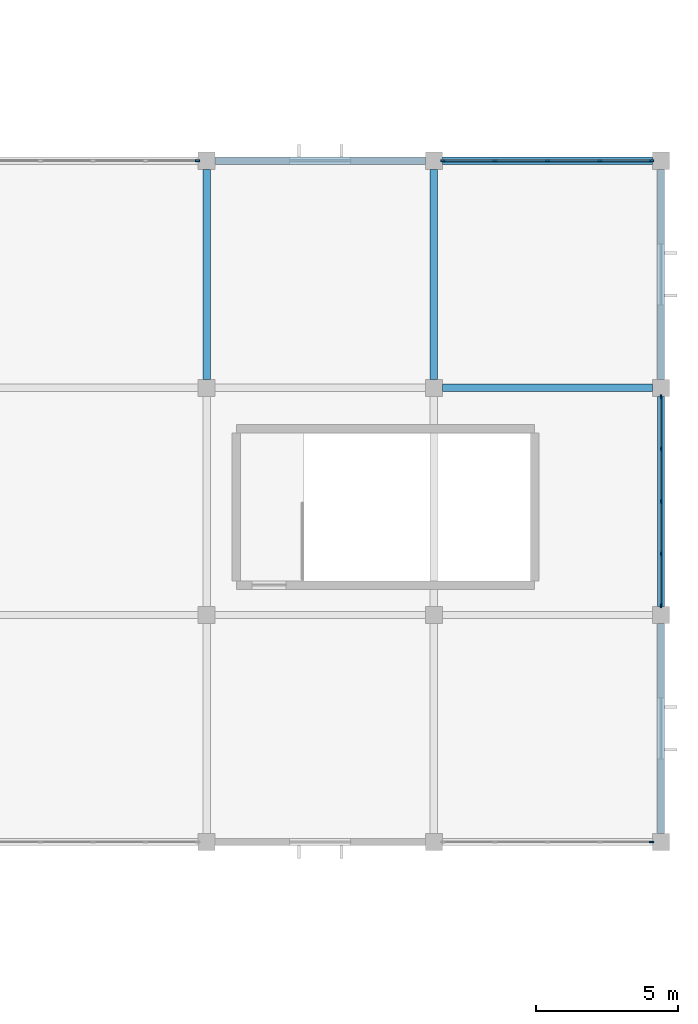
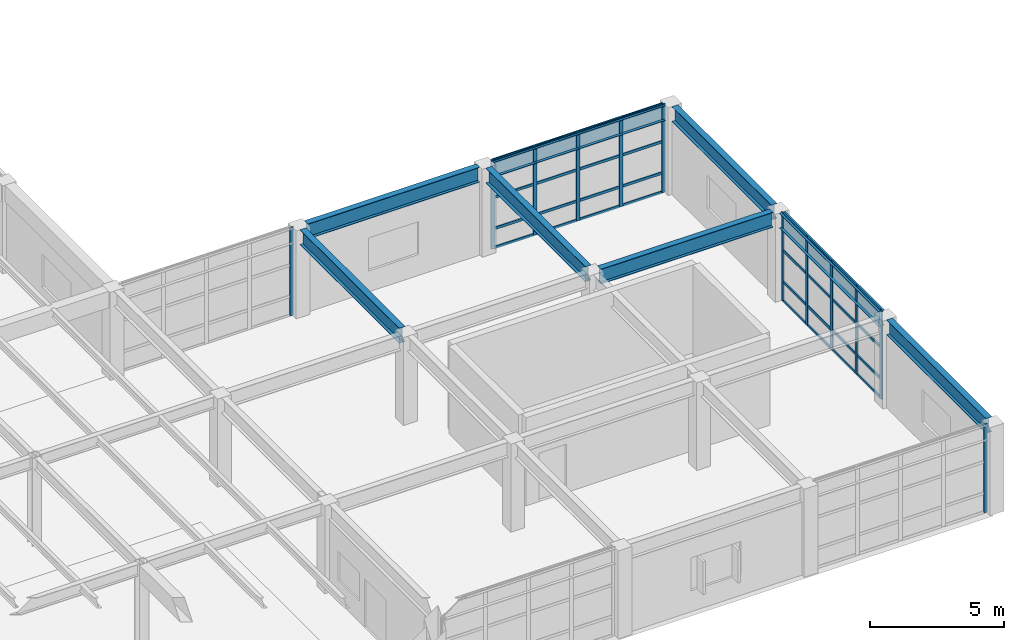
# One storey, part 27 of 48: 44 members, 8 beams, 4 elements without a shape of their own.
"""IFC4 building model written with IfcOpenShell, lengths in metres."""

import ifcopenshell
import ifcopenshell.guid

model = None  # the IFC model being written
_history = None  # IfcOwnerHistory: only IFC2X3 demands one
_inside = {}  # id of a spatial element -> (the spatial element, [elements in it])
_under = {}  # id of a project, library or spatial element -> (it, [spatial elements below it])
_declared = {}  # id of a project -> (the project, [libraries it declares])
_typed = {}  # id of a type object -> (the type object, [elements of that type])
_made_of = {}  # id of a material, layer set ... -> (it, [elements and type objects made of it])


def new_model(schema):
    """Start an empty IFC model of exactly this schema.

    Asked for "IFC4X3", IfcOpenShell would pick the latest addendum, in which some entities
    have other attributes; the version numbers below select the first issue.
    IFC2X3 requires an IfcOwnerHistory on every rooted entity: one is made here for all.
    """
    global model, _history
    if schema == "IFC4X3":
        model = ifcopenshell.file(schema_version=(4, 3, 0, 0))
    else:
        model = ifcopenshell.file(schema=schema)
    _inside.clear()
    _under.clear()
    _declared.clear()
    _typed.clear()
    _made_of.clear()
    _history = None
    if model.schema == "IFC2X3":
        org = make("IfcOrganization", Name="unknown")
        user = make(
            "IfcPersonAndOrganization",
            ThePerson=make("IfcPerson", FamilyName="unknown"),
            TheOrganization=org,
        )
        app = make(
            "IfcApplication",
            ApplicationDeveloper=org,
            Version="unknown",
            ApplicationFullName="unknown",
            ApplicationIdentifier="unknown",
        )
        _history = make(
            "IfcOwnerHistory",
            OwningUser=user,
            OwningApplication=app,
            ChangeAction="ADDED",
            CreationDate=0,
        )
    return model


def make(cls, **values):
    """One entity of the class cls with the attributes given. An attribute that is None is left unset."""
    return model.create_entity(
        cls, **{name: value for name, value in values.items() if value is not None}
    )


def rooted(cls, **values):
    """An entity with a GlobalId (a new one), such as an element, a storey or a relation."""
    return make(cls, GlobalId=ifcopenshell.guid.new(), OwnerHistory=_history, **values)


def si_unit(unit_type, name, prefix=None):
    """IfcSIUnit, for example si_unit("LENGTHUNIT", "METRE", prefix="MILLI")."""
    return make("IfcSIUnit", UnitType=unit_type, Prefix=prefix, Name=name)


def assignment(units):
    """IfcUnitAssignment: the units of a project."""
    return None if units is None else make("IfcUnitAssignment", Units=units)


def point(xyz):
    """IfcCartesianPoint."""
    return None if xyz is None else make("IfcCartesianPoint", Coordinates=xyz)


def direction(xyz):
    """IfcDirection."""
    return None if xyz is None else make("IfcDirection", DirectionRatios=xyz)


def frame(location, z_axis=None, x_axis=None):
    """IfcAxis2Placement3D, a coordinate frame: its origin and axes. An axis left out is left unset."""
    return make(
        "IfcAxis2Placement3D",
        Location=point(location),
        Axis=direction(z_axis),
        RefDirection=direction(x_axis),
    )


def frame_2d(location, x_axis=None):
    """IfcAxis2Placement2D, a coordinate frame in the plane: its origin and x axis."""
    return make(
        "IfcAxis2Placement2D", Location=point(location), RefDirection=direction(x_axis)
    )


def origin():
    """The frame at (0, 0, 0) with its axes left unset."""
    return frame((0.0, 0.0, 0.0))


def origin_2d():
    """The frame at (0, 0) in the plane with its x axis left unset."""
    return frame_2d((0.0, 0.0))


def place(relative_to, where):
    """IfcLocalPlacement: puts the frame where relative to a parent placement (None: the world)."""
    return make(
        "IfcLocalPlacement", PlacementRelTo=relative_to, RelativePlacement=where
    )


def context(
    kind, dimensions, precision=None, world=None, true_north=None, identifier=None
):
    """IfcGeometricRepresentationContext, for example the 3D "Model" context."""
    return make(
        "IfcGeometricRepresentationContext",
        ContextIdentifier=identifier,
        ContextType=kind,
        CoordinateSpaceDimension=dimensions,
        Precision=precision,
        WorldCoordinateSystem=world,
        TrueNorth=true_north,
    )


def subcontext(parent, identifier, kind, view, scale=None):
    """IfcGeometricRepresentationSubContext, for example "Body" below "Model"."""
    return make(
        "IfcGeometricRepresentationSubContext",
        ContextIdentifier=identifier,
        ContextType=kind,
        ParentContext=parent,
        TargetScale=scale,
        TargetView=view,
    )


def project(units=None, contexts=None):
    """IfcProject with its units and contexts."""
    return rooted(
        "IfcProject",
        Name="project",
        RepresentationContexts=contexts,
        UnitsInContext=assignment(units),
    )


def spatial(cls, under=None, at=None, **own):
    """A site, building, storey or space (cls), placed at a placement, below another one or the project."""
    s = rooted(cls, ObjectPlacement=at, **own)
    if under is not None:
        _under.setdefault(under.id(), (under, []))[1].append(s)
    return s


def profile(cls, at=None, kind="AREA", **sizes):
    """A parametric profile (cls). Its sizes go by their IFC names, for example OverallWidth=200.0."""
    return make(cls, ProfileType=kind, Position=at, **sizes)


def rectangle(**sizes):
    """IfcRectangleProfileDef."""
    return profile("IfcRectangleProfileDef", **sizes)


def i_section(**sizes):
    """IfcIShapeProfileDef."""
    return profile("IfcIShapeProfileDef", **sizes)


def extrude(swept, where, along, depth):
    """IfcExtrudedAreaSolid: the profile swept, set in the frame where, extruded along a direction by depth."""
    return make(
        "IfcExtrudedAreaSolid",
        SweptArea=swept,
        Position=where,
        ExtrudedDirection=direction(along),
        Depth=depth,
    )


def shape(context_of_items, identifier, shape_type, items):
    """IfcShapeRepresentation: the items that make up one representation, for example the "Body"."""
    return make(
        "IfcShapeRepresentation",
        ContextOfItems=context_of_items,
        RepresentationIdentifier=identifier,
        RepresentationType=shape_type,
        Items=items,
    )


def material(Name=None, Category=None):
    """IfcMaterial."""
    return make("IfcMaterial", Name=Name, Category=Category)


def layer(
    of_material, thickness, ventilated=None, Name=None, Category=None, Priority=None
):
    """IfcMaterialLayer: one layer of a wall or slab, of a material (None: an air gap)."""
    return make(
        "IfcMaterialLayer",
        Material=of_material,
        LayerThickness=thickness,
        IsVentilated=ventilated,
        Name=Name,
        Category=Category,
        Priority=Priority,
    )


def layer_set(layers, Name=None):
    """IfcMaterialLayerSet."""
    return make("IfcMaterialLayerSet", MaterialLayers=layers, LayerSetName=Name)


def material_profile(
    of_material, cross_section, Name=None, Category=None, Priority=None
):
    """IfcMaterialProfile: a cross section and its material."""
    return make(
        "IfcMaterialProfile",
        Name=Name,
        Material=of_material,
        Profile=cross_section,
        Priority=Priority,
        Category=Category,
    )


def profile_set(profiles, Name=None, composite=None):
    """IfcMaterialProfileSet."""
    return make(
        "IfcMaterialProfileSet",
        Name=Name,
        MaterialProfiles=profiles,
        CompositeProfile=composite,
    )


def made_of(thing, what):
    """Note that an element or type object is made of a material, layer set ...; save() writes the relation."""
    if what is not None:
        _made_of.setdefault(what.id(), (what, []))[1].append(thing)
    return thing


def type_object(cls, material=None, **own):
    """A type object (cls), such as IfcWallType, which elements share."""
    return made_of(rooted(cls, **own), material)


def element(
    cls,
    number,
    at=None,
    inside=None,
    cuts=None,
    type_object=None,
    material=None,
    context=None,
    identifier="Body",
    shape_type=None,
    held_by="IfcProductDefinitionShape",
    body=None,
    shapes=None,
    **own,
):
    """One element of the class cls, such as IfcWall. Its Tag is "e" and its number.

    at: its placement. inside: the storey or other place that contains it. cuts: it is an
    opening in that element (IfcRelVoidsElement). A single representation is given by context,
    identifier, shape_type and body (its items); several are given by shapes. held_by: the class
    of the entity that holds the representations. save() writes the other relations.
    """
    e = rooted(cls, Tag="e%d" % number, ObjectPlacement=at, **own)
    if body is not None:
        shapes = [shape(context, identifier, shape_type, body)]
    if shapes is not None:
        e.Representation = make(held_by, Representations=shapes)
    if inside is not None:
        _inside.setdefault(inside.id(), (inside, []))[1].append(e)
    if cuts is not None:
        rooted(
            "IfcRelVoidsElement", RelatingBuildingElement=cuts, RelatedOpeningElement=e
        )
    if type_object is not None:
        _typed.setdefault(type_object.id(), (type_object, []))[1].append(e)
    return made_of(e, material)


def aggregate(whole, parts):
    """IfcRelAggregates: a whole, such as a stair, and the parts it consists of."""
    return rooted("IfcRelAggregates", RelatingObject=whole, RelatedObjects=parts)


def save(model, path):
    """Write the relations noted so far, then the file.

    IfcRelAggregates (storeys below a building ...), IfcRelContainedInSpatialStructure (elements
    in a storey), IfcRelDefinesByType, IfcRelAssociatesMaterial and IfcRelDeclares: one each for
    every whole, place, type object, material and project.
    """
    for whole, parts in _under.values():
        aggregate(whole, parts)
    for where, things in _inside.values():
        rooted(
            "IfcRelContainedInSpatialStructure",
            RelatedElements=things,
            RelatingStructure=where,
        )
    for kind, things in _typed.values():
        rooted("IfcRelDefinesByType", RelatedObjects=things, RelatingType=kind)
    for what, things in _made_of.values():
        rooted("IfcRelAssociatesMaterial", RelatedObjects=things, RelatingMaterial=what)
    for by, libraries in _declared.values():
        rooted("IfcRelDeclares", RelatingContext=by, RelatedDefinitions=libraries)
    model.write(path)


model = new_model("IFC4")

# Units and contexts
model_context = context("Model", 3, precision=1e-05, world=origin(), true_north=direction((0.0, 1.0)))
body_context = subcontext(model_context, "Body", "Model", "MODEL_VIEW")
ifc_project = project(units=[si_unit("LENGTHUNIT", "METRE"), si_unit("AREAUNIT", "SQUARE_METRE"), si_unit("VOLUMEUNIT", "CUBIC_METRE"), si_unit("PLANEANGLEUNIT", "RADIAN"), si_unit("MASSUNIT", "GRAM", prefix="KILO")], contexts=[model_context])

# Site, building, storey
site_placement = place(None, origin())
site = spatial("IfcSite", under=ifc_project, at=site_placement, CompositionType="ELEMENT")
building_placement = place(site_placement, origin())
building = spatial("IfcBuilding", under=site, at=building_placement, Name="Varnela Railside Interchange", CompositionType="ELEMENT")
storey_placement = place(building_placement, frame((0.0, 0.0, 11.199951171875)))
storey = spatial("IfcBuildingStorey", under=building, at=storey_placement, Name="L02", CompositionType="ELEMENT", Elevation=11.199951171875)

# Curtain wall, member
ifc_material_1 = material(Name="Aluminium 6063-T6", Category="aluminium")
ifc_layer = layer(ifc_material_1, 0.035888671875)
ifc_layer_set = layer_set([ifc_layer], Name="Aluminium 6063-T6")
curtain_wall_type = type_object("IfcCurtainWallType", Name="Study Pavilion Gallery Curtain Wall CW-02", PredefinedType="USERDEFINED", material=ifc_layer_set)
curtain_wall_1_placement = place(storey_placement, origin())
curtain_wall_1 = element("IfcCurtainWall", 1, at=curtain_wall_1_placement, inside=storey, type_object=curtain_wall_type, Name="Curtain Wall CW-02 (L02) (CW-060)", ObjectType="CURTAIN WALL", PredefinedType="USERDEFINED")
ifc_material_profile_1 = material_profile(ifc_material_1, rectangle(XDim=0.06005859375, YDim=0.159912109375, at=origin_2d()), Name="ALU 60x160")
ifc_profile_set_1 = profile_set([ifc_material_profile_1], Name="Aluminium 6063-T6")
member_type_1 = type_object("IfcMemberType", Name="Curtain Wall Mullion ML-02", PredefinedType="MULLION", material=ifc_profile_set_1)
member_1_placement = place(storey_placement, frame((147.669921875, 62.0, 0.0), z_axis=(0.0, 0.0, 1.0), x_axis=(0.0, 1.0, 0.0)))
member_1 = element("IfcMember", 2, at=member_1_placement, type_object=member_type_1, Name="CW-02 mullion 5", PredefinedType="MULLION", context=body_context, shape_type="SweptSolid", body=[
    extrude(rectangle(XDim=0.06005859375, YDim=0.159912109375, at=origin_2d()), origin(), (0.0, 0.0, 1.0), 4.0),
])
aggregate(curtain_wall_1, [member_1])

# Curtain wall, members
curtain_wall_2_placement = place(storey_placement, origin())
curtain_wall_2 = element("IfcCurtainWall", 3, at=curtain_wall_2_placement, inside=storey, type_object=curtain_wall_type, Name="Curtain Wall CW-02 (L02) (CW-062)", ObjectType="CURTAIN WALL", PredefinedType="USERDEFINED")
member_2_placement = place(storey_placement, frame((156.330078125, 62.0, 0.0), z_axis=(0.0, 0.0, 1.0), x_axis=(0.0, 1.0, 0.0)))
member_2 = element("IfcMember", 4, at=member_2_placement, type_object=member_type_1, Name="CW-02 mullion 1", PredefinedType="MULLION", context=body_context, shape_type="SweptSolid", body=[
    extrude(rectangle(XDim=0.06005859375, YDim=0.159912109375, at=origin_2d()), origin(), (0.0, 0.0, 1.0), 4.0),
])
member_3_placement = place(storey_placement, frame((158.14990234375, 62.0, 0.0), z_axis=(0.0, 0.0, 1.0), x_axis=(0.0, 1.0, 0.0)))
member_3 = element("IfcMember", 5, at=member_3_placement, type_object=member_type_1, Name="CW-02 mullion 2", PredefinedType="MULLION", context=body_context, shape_type="SweptSolid", body=[
    extrude(rectangle(XDim=0.06005859375, YDim=0.159912109375, at=origin_2d()), origin(), (0.0, 0.0, 1.0), 4.0),
])
member_4_placement = place(storey_placement, frame((160.0, 62.0, 0.0), z_axis=(0.0, 0.0, 1.0), x_axis=(0.0, 1.0, 0.0)))
member_4 = element("IfcMember", 6, at=member_4_placement, type_object=member_type_1, Name="CW-02 mullion 3", PredefinedType="MULLION", context=body_context, shape_type="SweptSolid", body=[
    extrude(rectangle(XDim=0.06005859375, YDim=0.159912109375, at=origin_2d()), origin(), (0.0, 0.0, 1.0), 4.0),
])
member_5_placement = place(storey_placement, frame((161.85009765625, 62.0, 0.0), z_axis=(0.0, 0.0, 1.0), x_axis=(0.0, 1.0, 0.0)))
member_5 = element("IfcMember", 7, at=member_5_placement, type_object=member_type_1, Name="CW-02 mullion 4", PredefinedType="MULLION", context=body_context, shape_type="SweptSolid", body=[
    extrude(rectangle(XDim=0.06005859375, YDim=0.159912109375, at=origin_2d()), origin(), (0.0, 0.0, 1.0), 4.0),
])
member_6_placement = place(storey_placement, frame((163.669921875, 62.0, 0.0), z_axis=(0.0, 0.0, 1.0), x_axis=(0.0, 1.0, 0.0)))
member_6 = element("IfcMember", 8, at=member_6_placement, type_object=member_type_1, Name="CW-02 mullion 5", PredefinedType="MULLION", context=body_context, shape_type="SweptSolid", body=[
    extrude(rectangle(XDim=0.06005859375, YDim=0.159912109375, at=origin_2d()), origin(), (0.0, 0.0, 1.0), 4.0),
])

curtain_wall_3_placement = place(storey_placement, origin())
curtain_wall_3 = element("IfcCurtainWall", 9, at=curtain_wall_3_placement, inside=storey, type_object=curtain_wall_type, Name="Curtain Wall CW-02 (L02) (CW-063)", ObjectType="CURTAIN WALL", PredefinedType="USERDEFINED")
member_7_placement = place(storey_placement, frame((164.0, 53.669921875, 0.0), z_axis=(0.0, 0.0, 1.0), x_axis=(1.0, 0.0, 0.0)))
member_7 = element("IfcMember", 10, at=member_7_placement, type_object=member_type_1, Name="CW-02 mullion 1", PredefinedType="MULLION", context=body_context, shape_type="SweptSolid", body=[
    extrude(rectangle(XDim=0.06005859375, YDim=0.159912109375, at=origin_2d()), origin(), (0.0, 0.0, 1.0), 4.0),
])
member_8_placement = place(storey_placement, frame((164.0, 51.85009765625, 0.0), z_axis=(0.0, 0.0, 1.0), x_axis=(1.0, 0.0, 0.0)))
member_8 = element("IfcMember", 11, at=member_8_placement, type_object=member_type_1, Name="CW-02 mullion 2", PredefinedType="MULLION", context=body_context, shape_type="SweptSolid", body=[
    extrude(rectangle(XDim=0.06005859375, YDim=0.159912109375, at=origin_2d()), origin(), (0.0, 0.0, 1.0), 4.0),
])
member_9_placement = place(storey_placement, frame((164.0, 50.0, 0.0), z_axis=(0.0, 0.0, 1.0), x_axis=(1.0, 0.0, 0.0)))
member_9 = element("IfcMember", 12, at=member_9_placement, type_object=member_type_1, Name="CW-02 mullion 3", PredefinedType="MULLION", context=body_context, shape_type="SweptSolid", body=[
    extrude(rectangle(XDim=0.06005859375, YDim=0.159912109375, at=origin_2d()), origin(), (0.0, 0.0, 1.0), 4.0),
])
member_10_placement = place(storey_placement, frame((164.0, 48.14990234375, 0.0), z_axis=(0.0, 0.0, 1.0), x_axis=(1.0, 0.0, 0.0)))
member_10 = element("IfcMember", 13, at=member_10_placement, type_object=member_type_1, Name="CW-02 mullion 4", PredefinedType="MULLION", context=body_context, shape_type="SweptSolid", body=[
    extrude(rectangle(XDim=0.06005859375, YDim=0.159912109375, at=origin_2d()), origin(), (0.0, 0.0, 1.0), 4.0),
])
member_11_placement = place(storey_placement, frame((164.0, 46.330078125, 0.0), z_axis=(0.0, 0.0, 1.0), x_axis=(1.0, 0.0, 0.0)))
member_11 = element("IfcMember", 14, at=member_11_placement, type_object=member_type_1, Name="CW-02 mullion 5", PredefinedType="MULLION", context=body_context, shape_type="SweptSolid", body=[
    extrude(rectangle(XDim=0.06005859375, YDim=0.159912109375, at=origin_2d()), origin(), (0.0, 0.0, 1.0), 4.0),
])

# Curtain wall, member
curtain_wall_4_placement = place(storey_placement, origin())
curtain_wall_4 = element("IfcCurtainWall", 15, at=curtain_wall_4_placement, inside=storey, type_object=curtain_wall_type, Name="Curtain Wall CW-02 (L02) (CW-064)", ObjectType="CURTAIN WALL", PredefinedType="USERDEFINED")
member_12_placement = place(storey_placement, frame((163.669921875, 38.0, 0.0), z_axis=(0.0, 0.0, 1.0), x_axis=(0.0, -1.0, 0.0)))
member_12 = element("IfcMember", 16, at=member_12_placement, type_object=member_type_1, Name="CW-02 mullion 1", PredefinedType="MULLION", context=body_context, shape_type="SweptSolid", body=[
    extrude(rectangle(XDim=0.06005859375, YDim=0.159912109375, at=origin_2d()), origin(), (0.0, 0.0, 1.0), 4.0),
])
aggregate(curtain_wall_4, [member_12])

# Member
ifc_material_profile_2 = material_profile(ifc_material_1, rectangle(XDim=0.06005859375, YDim=0.1201171875, at=origin_2d()), Name="ALU 60x120")
ifc_profile_set_2 = profile_set([ifc_material_profile_2], Name="Aluminium 6063-T6")
member_type_2 = type_object("IfcMemberType", Name="Curtain Wall Transom TR-02", PredefinedType="USERDEFINED", material=ifc_profile_set_2)
member_13_placement = place(storey_placement, frame((156.360107421875, 62.0, 0.030029296875), z_axis=(1.0, 0.0, 0.0), x_axis=(0.0, 1.0, 0.0)))
member_13 = element("IfcMember", 17, at=member_13_placement, type_object=member_type_2, Name="CW-02 transom 1.1", ObjectType="TRANSOM", PredefinedType="USERDEFINED", context=body_context, shape_type="SweptSolid", body=[
    extrude(rectangle(XDim=0.06005859375, YDim=0.1201171875, at=origin_2d()), origin(), (0.0, 0.0, 1.0), 1.760009765625),
])

member_14_placement = place(storey_placement, frame((156.360107421875, 62.0, 0.900146484375), z_axis=(1.0, 0.0, 0.0), x_axis=(0.0, 1.0, 0.0)))
member_14 = element("IfcMember", 18, at=member_14_placement, type_object=member_type_2, Name="CW-02 transom 1.2", ObjectType="TRANSOM", PredefinedType="USERDEFINED", context=body_context, shape_type="SweptSolid", body=[
    extrude(rectangle(XDim=0.06005859375, YDim=0.1201171875, at=origin_2d()), origin(), (0.0, 0.0, 1.0), 1.760009765625),
])

member_15_placement = place(storey_placement, frame((156.360107421875, 62.0, 2.320068359375), z_axis=(1.0, 0.0, 0.0), x_axis=(0.0, 1.0, 0.0)))
member_15 = element("IfcMember", 19, at=member_15_placement, type_object=member_type_2, Name="CW-02 transom 1.3", ObjectType="TRANSOM", PredefinedType="USERDEFINED", context=body_context, shape_type="SweptSolid", body=[
    extrude(rectangle(XDim=0.06005859375, YDim=0.1201171875, at=origin_2d()), origin(), (0.0, 0.0, 1.0), 1.760009765625),
])

member_16_placement = place(storey_placement, frame((156.360107421875, 62.0, 3.969970703125), z_axis=(1.0, 0.0, 0.0), x_axis=(0.0, 1.0, 0.0)))
member_16 = element("IfcMember", 20, at=member_16_placement, type_object=member_type_2, Name="CW-02 transom 1.4", ObjectType="TRANSOM", PredefinedType="USERDEFINED", context=body_context, shape_type="SweptSolid", body=[
    extrude(rectangle(XDim=0.06005859375, YDim=0.1201171875, at=origin_2d()), origin(), (0.0, 0.0, 1.0), 1.760009765625),
])

member_17_placement = place(storey_placement, frame((158.179931640625, 62.0, 0.030029296875), z_axis=(1.0, 0.0, 0.0), x_axis=(0.0, 1.0, 0.0)))
member_17 = element("IfcMember", 21, at=member_17_placement, type_object=member_type_2, Name="CW-02 transom 2.1", ObjectType="TRANSOM", PredefinedType="USERDEFINED", context=body_context, shape_type="SweptSolid", body=[
    extrude(rectangle(XDim=0.06005859375, YDim=0.1201171875, at=origin_2d()), origin(), (0.0, 0.0, 1.0), 1.7900390625),
])

member_18_placement = place(storey_placement, frame((158.179931640625, 62.0, 0.900146484375), z_axis=(1.0, 0.0, 0.0), x_axis=(0.0, 1.0, 0.0)))
member_18 = element("IfcMember", 22, at=member_18_placement, type_object=member_type_2, Name="CW-02 transom 2.2", ObjectType="TRANSOM", PredefinedType="USERDEFINED", context=body_context, shape_type="SweptSolid", body=[
    extrude(rectangle(XDim=0.06005859375, YDim=0.1201171875, at=origin_2d()), origin(), (0.0, 0.0, 1.0), 1.7900390625),
])

member_19_placement = place(storey_placement, frame((158.179931640625, 62.0, 2.320068359375), z_axis=(1.0, 0.0, 0.0), x_axis=(0.0, 1.0, 0.0)))
member_19 = element("IfcMember", 23, at=member_19_placement, type_object=member_type_2, Name="CW-02 transom 2.3", ObjectType="TRANSOM", PredefinedType="USERDEFINED", context=body_context, shape_type="SweptSolid", body=[
    extrude(rectangle(XDim=0.06005859375, YDim=0.1201171875, at=origin_2d()), origin(), (0.0, 0.0, 1.0), 1.7900390625),
])

member_20_placement = place(storey_placement, frame((158.179931640625, 62.0, 3.969970703125), z_axis=(1.0, 0.0, 0.0), x_axis=(0.0, 1.0, 0.0)))
member_20 = element("IfcMember", 24, at=member_20_placement, type_object=member_type_2, Name="CW-02 transom 2.4", ObjectType="TRANSOM", PredefinedType="USERDEFINED", context=body_context, shape_type="SweptSolid", body=[
    extrude(rectangle(XDim=0.06005859375, YDim=0.1201171875, at=origin_2d()), origin(), (0.0, 0.0, 1.0), 1.7900390625),
])

member_21_placement = place(storey_placement, frame((160.030029296875, 62.0, 0.030029296875), z_axis=(1.0, 0.0, 0.0), x_axis=(0.0, 1.0, 0.0)))
member_21 = element("IfcMember", 25, at=member_21_placement, type_object=member_type_2, Name="CW-02 transom 3.1", ObjectType="TRANSOM", PredefinedType="USERDEFINED", context=body_context, shape_type="SweptSolid", body=[
    extrude(rectangle(XDim=0.06005859375, YDim=0.1201171875, at=origin_2d()), origin(), (0.0, 0.0, 1.0), 1.7900390625),
])

member_22_placement = place(storey_placement, frame((160.030029296875, 62.0, 0.900146484375), z_axis=(1.0, 0.0, 0.0), x_axis=(0.0, 1.0, 0.0)))
member_22 = element("IfcMember", 26, at=member_22_placement, type_object=member_type_2, Name="CW-02 transom 3.2", ObjectType="TRANSOM", PredefinedType="USERDEFINED", context=body_context, shape_type="SweptSolid", body=[
    extrude(rectangle(XDim=0.06005859375, YDim=0.1201171875, at=origin_2d()), origin(), (0.0, 0.0, 1.0), 1.7900390625),
])

member_23_placement = place(storey_placement, frame((160.030029296875, 62.0, 2.320068359375), z_axis=(1.0, 0.0, 0.0), x_axis=(0.0, 1.0, 0.0)))
member_23 = element("IfcMember", 27, at=member_23_placement, type_object=member_type_2, Name="CW-02 transom 3.3", ObjectType="TRANSOM", PredefinedType="USERDEFINED", context=body_context, shape_type="SweptSolid", body=[
    extrude(rectangle(XDim=0.06005859375, YDim=0.1201171875, at=origin_2d()), origin(), (0.0, 0.0, 1.0), 1.7900390625),
])

member_24_placement = place(storey_placement, frame((160.030029296875, 62.0, 3.969970703125), z_axis=(1.0, 0.0, 0.0), x_axis=(0.0, 1.0, 0.0)))
member_24 = element("IfcMember", 28, at=member_24_placement, type_object=member_type_2, Name="CW-02 transom 3.4", ObjectType="TRANSOM", PredefinedType="USERDEFINED", context=body_context, shape_type="SweptSolid", body=[
    extrude(rectangle(XDim=0.06005859375, YDim=0.1201171875, at=origin_2d()), origin(), (0.0, 0.0, 1.0), 1.7900390625),
])

member_25_placement = place(storey_placement, frame((161.8798828125, 62.0, 0.030029296875), z_axis=(1.0, 0.0, 0.0), x_axis=(0.0, 1.0, 0.0)))
member_25 = element("IfcMember", 29, at=member_25_placement, type_object=member_type_2, Name="CW-02 transom 4.1", ObjectType="TRANSOM", PredefinedType="USERDEFINED", context=body_context, shape_type="SweptSolid", body=[
    extrude(rectangle(XDim=0.06005859375, YDim=0.1201171875, at=origin_2d()), origin(), (0.0, 0.0, 1.0), 1.760009765625),
])

member_26_placement = place(storey_placement, frame((161.8798828125, 62.0, 0.900146484375), z_axis=(1.0, 0.0, 0.0), x_axis=(0.0, 1.0, 0.0)))
member_26 = element("IfcMember", 30, at=member_26_placement, type_object=member_type_2, Name="CW-02 transom 4.2", ObjectType="TRANSOM", PredefinedType="USERDEFINED", context=body_context, shape_type="SweptSolid", body=[
    extrude(rectangle(XDim=0.06005859375, YDim=0.1201171875, at=origin_2d()), origin(), (0.0, 0.0, 1.0), 1.760009765625),
])

member_27_placement = place(storey_placement, frame((161.8798828125, 62.0, 2.320068359375), z_axis=(1.0, 0.0, 0.0), x_axis=(0.0, 1.0, 0.0)))
member_27 = element("IfcMember", 31, at=member_27_placement, type_object=member_type_2, Name="CW-02 transom 4.3", ObjectType="TRANSOM", PredefinedType="USERDEFINED", context=body_context, shape_type="SweptSolid", body=[
    extrude(rectangle(XDim=0.06005859375, YDim=0.1201171875, at=origin_2d()), origin(), (0.0, 0.0, 1.0), 1.760009765625),
])

member_28_placement = place(storey_placement, frame((161.8798828125, 62.0, 3.969970703125), z_axis=(1.0, 0.0, 0.0), x_axis=(0.0, 1.0, 0.0)))
member_28 = element("IfcMember", 32, at=member_28_placement, type_object=member_type_2, Name="CW-02 transom 4.4", ObjectType="TRANSOM", PredefinedType="USERDEFINED", context=body_context, shape_type="SweptSolid", body=[
    extrude(rectangle(XDim=0.06005859375, YDim=0.1201171875, at=origin_2d()), origin(), (0.0, 0.0, 1.0), 1.760009765625),
])

aggregate(curtain_wall_2, [member_2, member_3, member_4, member_5, member_6, member_13, member_14, member_15, member_16, member_17, member_18, member_19, member_20, member_21, member_22, member_23, member_24, member_25, member_26, member_27, member_28])

member_29_placement = place(storey_placement, frame((164.0, 53.639892578125, 0.030029296875), z_axis=(0.0, -1.0, 0.0), x_axis=(1.0, 0.0, 0.0)))
member_29 = element("IfcMember", 33, at=member_29_placement, type_object=member_type_2, Name="CW-02 transom 1.1", ObjectType="TRANSOM", PredefinedType="USERDEFINED", context=body_context, shape_type="SweptSolid", body=[
    extrude(rectangle(XDim=0.06005859375, YDim=0.1201171875, at=origin_2d()), origin(), (0.0, 0.0, 1.0), 1.760009765625),
])

member_30_placement = place(storey_placement, frame((164.0, 53.639892578125, 0.900146484375), z_axis=(0.0, -1.0, 0.0), x_axis=(1.0, 0.0, 0.0)))
member_30 = element("IfcMember", 34, at=member_30_placement, type_object=member_type_2, Name="CW-02 transom 1.2", ObjectType="TRANSOM", PredefinedType="USERDEFINED", context=body_context, shape_type="SweptSolid", body=[
    extrude(rectangle(XDim=0.06005859375, YDim=0.1201171875, at=origin_2d()), origin(), (0.0, 0.0, 1.0), 1.760009765625),
])

member_31_placement = place(storey_placement, frame((164.0, 53.639892578125, 2.320068359375), z_axis=(0.0, -1.0, 0.0), x_axis=(1.0, 0.0, 0.0)))
member_31 = element("IfcMember", 35, at=member_31_placement, type_object=member_type_2, Name="CW-02 transom 1.3", ObjectType="TRANSOM", PredefinedType="USERDEFINED", context=body_context, shape_type="SweptSolid", body=[
    extrude(rectangle(XDim=0.06005859375, YDim=0.1201171875, at=origin_2d()), origin(), (0.0, 0.0, 1.0), 1.760009765625),
])

member_32_placement = place(storey_placement, frame((164.0, 53.639892578125, 3.969970703125), z_axis=(0.0, -1.0, 0.0), x_axis=(1.0, 0.0, 0.0)))
member_32 = element("IfcMember", 36, at=member_32_placement, type_object=member_type_2, Name="CW-02 transom 1.4", ObjectType="TRANSOM", PredefinedType="USERDEFINED", context=body_context, shape_type="SweptSolid", body=[
    extrude(rectangle(XDim=0.06005859375, YDim=0.1201171875, at=origin_2d()), origin(), (0.0, 0.0, 1.0), 1.760009765625),
])

member_33_placement = place(storey_placement, frame((164.0, 51.820068359375, 0.030029296875), z_axis=(0.0, -1.0, 0.0), x_axis=(1.0, 0.0, 0.0)))
member_33 = element("IfcMember", 37, at=member_33_placement, type_object=member_type_2, Name="CW-02 transom 2.1", ObjectType="TRANSOM", PredefinedType="USERDEFINED", context=body_context, shape_type="SweptSolid", body=[
    extrude(rectangle(XDim=0.06005859375, YDim=0.1201171875, at=origin_2d()), origin(), (0.0, 0.0, 1.0), 1.7900390625),
])

member_34_placement = place(storey_placement, frame((164.0, 51.820068359375, 0.900146484375), z_axis=(0.0, -1.0, 0.0), x_axis=(1.0, 0.0, 0.0)))
member_34 = element("IfcMember", 38, at=member_34_placement, type_object=member_type_2, Name="CW-02 transom 2.2", ObjectType="TRANSOM", PredefinedType="USERDEFINED", context=body_context, shape_type="SweptSolid", body=[
    extrude(rectangle(XDim=0.06005859375, YDim=0.1201171875, at=origin_2d()), origin(), (0.0, 0.0, 1.0), 1.7900390625),
])

member_35_placement = place(storey_placement, frame((164.0, 51.820068359375, 2.320068359375), z_axis=(0.0, -1.0, 0.0), x_axis=(1.0, 0.0, 0.0)))
member_35 = element("IfcMember", 39, at=member_35_placement, type_object=member_type_2, Name="CW-02 transom 2.3", ObjectType="TRANSOM", PredefinedType="USERDEFINED", context=body_context, shape_type="SweptSolid", body=[
    extrude(rectangle(XDim=0.06005859375, YDim=0.1201171875, at=origin_2d()), origin(), (0.0, 0.0, 1.0), 1.7900390625),
])

member_36_placement = place(storey_placement, frame((164.0, 51.820068359375, 3.969970703125), z_axis=(0.0, -1.0, 0.0), x_axis=(1.0, 0.0, 0.0)))
member_36 = element("IfcMember", 40, at=member_36_placement, type_object=member_type_2, Name="CW-02 transom 2.4", ObjectType="TRANSOM", PredefinedType="USERDEFINED", context=body_context, shape_type="SweptSolid", body=[
    extrude(rectangle(XDim=0.06005859375, YDim=0.1201171875, at=origin_2d()), origin(), (0.0, 0.0, 1.0), 1.7900390625),
])

member_37_placement = place(storey_placement, frame((164.0, 49.969970703125, 0.030029296875), z_axis=(0.0, -1.0, 0.0), x_axis=(1.0, 0.0, 0.0)))
member_37 = element("IfcMember", 41, at=member_37_placement, type_object=member_type_2, Name="CW-02 transom 3.1", ObjectType="TRANSOM", PredefinedType="USERDEFINED", context=body_context, shape_type="SweptSolid", body=[
    extrude(rectangle(XDim=0.06005859375, YDim=0.1201171875, at=origin_2d()), origin(), (0.0, 0.0, 1.0), 1.7900390625),
])

member_38_placement = place(storey_placement, frame((164.0, 49.969970703125, 0.900146484375), z_axis=(0.0, -1.0, 0.0), x_axis=(1.0, 0.0, 0.0)))
member_38 = element("IfcMember", 42, at=member_38_placement, type_object=member_type_2, Name="CW-02 transom 3.2", ObjectType="TRANSOM", PredefinedType="USERDEFINED", context=body_context, shape_type="SweptSolid", body=[
    extrude(rectangle(XDim=0.06005859375, YDim=0.1201171875, at=origin_2d()), origin(), (0.0, 0.0, 1.0), 1.7900390625),
])

member_39_placement = place(storey_placement, frame((164.0, 49.969970703125, 2.320068359375), z_axis=(0.0, -1.0, 0.0), x_axis=(1.0, 0.0, 0.0)))
member_39 = element("IfcMember", 43, at=member_39_placement, type_object=member_type_2, Name="CW-02 transom 3.3", ObjectType="TRANSOM", PredefinedType="USERDEFINED", context=body_context, shape_type="SweptSolid", body=[
    extrude(rectangle(XDim=0.06005859375, YDim=0.1201171875, at=origin_2d()), origin(), (0.0, 0.0, 1.0), 1.7900390625),
])

member_40_placement = place(storey_placement, frame((164.0, 49.969970703125, 3.969970703125), z_axis=(0.0, -1.0, 0.0), x_axis=(1.0, 0.0, 0.0)))
member_40 = element("IfcMember", 44, at=member_40_placement, type_object=member_type_2, Name="CW-02 transom 3.4", ObjectType="TRANSOM", PredefinedType="USERDEFINED", context=body_context, shape_type="SweptSolid", body=[
    extrude(rectangle(XDim=0.06005859375, YDim=0.1201171875, at=origin_2d()), origin(), (0.0, 0.0, 1.0), 1.7900390625),
])

member_41_placement = place(storey_placement, frame((164.0, 48.1201171875, 0.030029296875), z_axis=(0.0, -1.0, 0.0), x_axis=(1.0, 0.0, 0.0)))
member_41 = element("IfcMember", 45, at=member_41_placement, type_object=member_type_2, Name="CW-02 transom 4.1", ObjectType="TRANSOM", PredefinedType="USERDEFINED", context=body_context, shape_type="SweptSolid", body=[
    extrude(rectangle(XDim=0.06005859375, YDim=0.1201171875, at=origin_2d()), origin(), (0.0, 0.0, 1.0), 1.760009765625),
])

member_42_placement = place(storey_placement, frame((164.0, 48.1201171875, 0.900146484375), z_axis=(0.0, -1.0, 0.0), x_axis=(1.0, 0.0, 0.0)))
member_42 = element("IfcMember", 46, at=member_42_placement, type_object=member_type_2, Name="CW-02 transom 4.2", ObjectType="TRANSOM", PredefinedType="USERDEFINED", context=body_context, shape_type="SweptSolid", body=[
    extrude(rectangle(XDim=0.06005859375, YDim=0.1201171875, at=origin_2d()), origin(), (0.0, 0.0, 1.0), 1.760009765625),
])

member_43_placement = place(storey_placement, frame((164.0, 48.1201171875, 2.320068359375), z_axis=(0.0, -1.0, 0.0), x_axis=(1.0, 0.0, 0.0)))
member_43 = element("IfcMember", 47, at=member_43_placement, type_object=member_type_2, Name="CW-02 transom 4.3", ObjectType="TRANSOM", PredefinedType="USERDEFINED", context=body_context, shape_type="SweptSolid", body=[
    extrude(rectangle(XDim=0.06005859375, YDim=0.1201171875, at=origin_2d()), origin(), (0.0, 0.0, 1.0), 1.760009765625),
])

member_44_placement = place(storey_placement, frame((164.0, 48.1201171875, 3.969970703125), z_axis=(0.0, -1.0, 0.0), x_axis=(1.0, 0.0, 0.0)))
member_44 = element("IfcMember", 48, at=member_44_placement, type_object=member_type_2, Name="CW-02 transom 4.4", ObjectType="TRANSOM", PredefinedType="USERDEFINED", context=body_context, shape_type="SweptSolid", body=[
    extrude(rectangle(XDim=0.06005859375, YDim=0.1201171875, at=origin_2d()), origin(), (0.0, 0.0, 1.0), 1.760009765625),
])

aggregate(curtain_wall_3, [member_7, member_8, member_9, member_10, member_11, member_29, member_30, member_31, member_32, member_33, member_34, member_35, member_36, member_37, member_38, member_39, member_40, member_41, member_42, member_43, member_44])

# Beams
ifc_material_2 = material(Name="Steel AR 350 (350 MPa)", Category="steel")
ifc_material_profile_3 = material_profile(ifc_material_2, i_section(OverallWidth=0.25390625, OverallDepth=0.68798828125, WebThickness=0.01318359375, FlangeThickness=0.02099609375, at=origin_2d()), Name="W690x152")
ifc_profile_set_3 = profile_set([ifc_material_profile_3], Name="Steel AR 350 (350 MPa)")
beam_type = type_object("IfcBeamType", Name="Sawtooth Roof Truss Girder RT-01", PredefinedType="BEAM", material=ifc_profile_set_3)
for number, where, z_axis, x_axis, name in (
    (49, (156.300048828125, 54.0, 3.656005859375), (1.0, 0.0, 0.0), (0.0, 1.0, 0.0), "Sawtooth Roof Truss Girder RT-01 (L02) (BM-1969)"),
    (50, (148.300048828125, 62.0, 3.656005859375), (1.0, 0.0, 0.0), (0.0, 1.0, 0.0), "Sawtooth Roof Truss Girder RT-01 (L02) (BM-1979)"),
    (51, (156.300048828125, 62.0, 3.656005859375), (1.0, 0.0, 0.0), (0.0, 1.0, 0.0), "Sawtooth Roof Truss Girder RT-01 (L02) (BM-1980)"),
    (52, (148.0, 54.300048828125, 3.656005859375), (0.0, 1.0, 0.0), (-1.0, 0.0, 0.0), "Sawtooth Roof Truss Girder RT-01 (L02) (BM-2049)"),
    (53, (156.0, 54.300048828125, 3.656005859375), (0.0, 1.0, 0.0), (-1.0, 0.0, 0.0), "Sawtooth Roof Truss Girder RT-01 (L02) (BM-2059)"),
    (54, (164.0, 38.300048828125, 3.656005859375), (0.0, 1.0, 0.0), (-1.0, 0.0, 0.0), "Sawtooth Roof Truss Girder RT-01 (L02) (BM-2060)"),
    (55, (164.0, 46.300048828125, 3.656005859375), (0.0, 1.0, 0.0), (-1.0, 0.0, 0.0), "Sawtooth Roof Truss Girder RT-01 (L02) (BM-2061)"),
    (56, (164.0, 54.300048828125, 3.656005859375), (0.0, 1.0, 0.0), (-1.0, 0.0, 0.0), "Sawtooth Roof Truss Girder RT-01 (L02) (BM-2062)"),
):
    element("IfcBeam", number, at=place(storey_placement, frame(where, z_axis=z_axis, x_axis=x_axis)), inside=storey, type_object=beam_type, Name=name, PredefinedType="BEAM", context=body_context, shape_type="SweptSolid", body=[
        extrude(i_section(OverallWidth=0.25390625, OverallDepth=0.68798828125, WebThickness=0.01318359375, FlangeThickness=0.02099609375, at=origin_2d()), origin(), (0.0, 0.0, 1.0), 7.39990234375),
    ])

save(model, "model.ifc")
